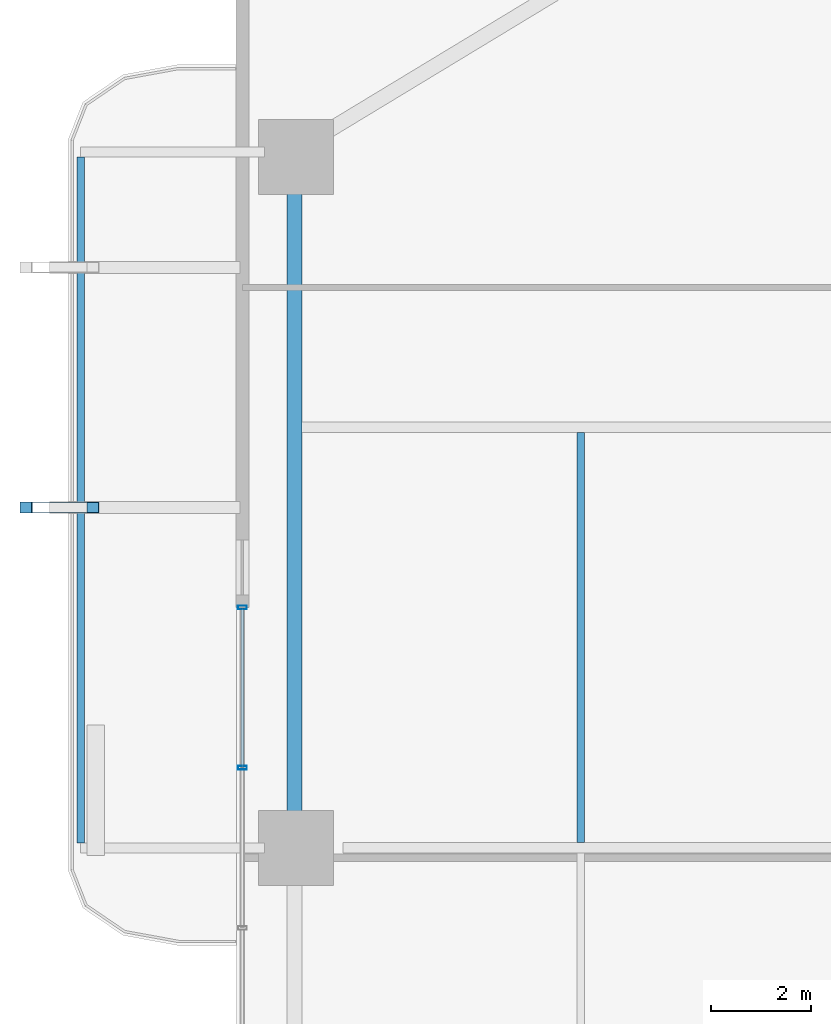
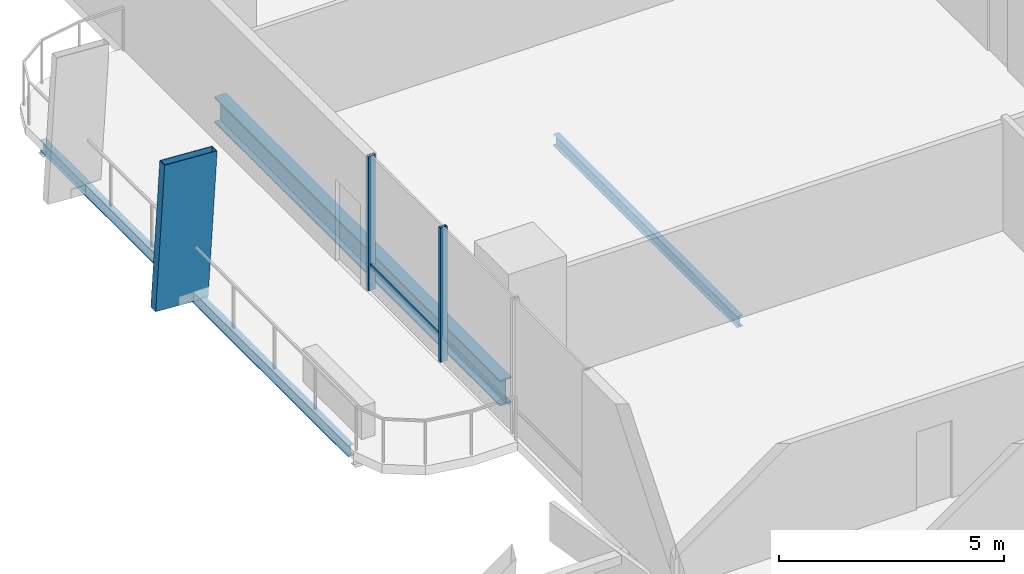
# One storey, part 13 of 30: 4 members, 3 beams, 1 element without a shape of its own.
"""IFC4 building model written with IfcOpenShell, lengths in metres."""

from ifc_helpers import new_model, si_unit, direction, frame, origin, origin_2d, place, context, subcontext, project, spatial, hollow_rectangle, i_section, extrude, material, layer, layer_set, material_profile, profile_set, type_object, element, aggregate, save


model = new_model("IFC4")

# Units and contexts
model_context = context("Model", 3, precision=1e-05, world=origin(), true_north=direction((0.0, 1.0)))
body_context = subcontext(model_context, "Body", "Model", "MODEL_VIEW")
ifc_project = project(units=[si_unit("LENGTHUNIT", "METRE"), si_unit("AREAUNIT", "SQUARE_METRE"), si_unit("VOLUMEUNIT", "CUBIC_METRE"), si_unit("PLANEANGLEUNIT", "RADIAN"), si_unit("MASSUNIT", "GRAM", prefix="KILO")], contexts=[model_context])

# Site, building, storey
site_placement = place(None, origin())
site = spatial("IfcSite", under=ifc_project, at=site_placement, CompositionType="ELEMENT")
building_placement = place(site_placement, origin())
building = spatial("IfcBuilding", under=site, at=building_placement, Name="Belovzor Exchange Tower", CompositionType="ELEMENT")
storey_placement = place(building_placement, frame((0.0, 0.0, 30.0)))
storey = spatial("IfcBuildingStorey", under=building, at=storey_placement, Name="L06", CompositionType="ELEMENT", Elevation=30.0)

# Member
ifc_material_1 = material(Name="Extruded Architectural Terracotta on Steel S355 Carrier", Category="masonry")
ifc_material_profile_1 = material_profile(ifc_material_1, hollow_rectangle(XDim=0.219970703125, YDim=1.35009765625, WallThickness=0.013916015625, at=origin_2d()))
ifc_profile_set_1 = profile_set([ifc_material_profile_1], Name="Extruded Architectural Terracotta on Steel S355 Carrier")
member_type_1 = type_object("IfcMemberType", Name="Base Arc Sweeping Terracotta Pylon Fin 1450", PredefinedType="USERDEFINED", material=ifc_profile_set_1)
member_1_placement = place(storey_placement, frame((-2.737060546875, 35.60009765625, -0.25), z_axis=(0.059678094331, 0.0, 0.998217674186), x_axis=(0.0, 1.0, 0.0)))
element("IfcMember", 1, at=member_1_placement, inside=storey, type_object=member_type_1, Name="FIN-TC145 Terracotta Facade Fin L06 W3", ObjectType="FIN", PredefinedType="USERDEFINED", context=body_context, shape_type="SweptSolid", body=[
    extrude(hollow_rectangle(XDim=0.219970703125, YDim=1.35009765625, WallThickness=0.013916015625, at=origin_2d()), origin(), (0.0, 0.0, 1.0), 3.906982421875),
])

# Beams
ifc_material_2 = material(Name="Steel S355", Category="steel")
ifc_material_profile_2 = material_profile(ifc_material_2, i_section(OverallWidth=0.14990234375, OverallDepth=0.300048828125, WebThickness=0.007080078125, FlangeThickness=0.0107421875, at=origin_2d()))
ifc_profile_set_2 = profile_set([ifc_material_profile_2], Name="Steel S355")
beam_type_1 = type_object("IfcBeamType", Name="Planted Balcony Fascia Edge Beam IPE 300", PredefinedType="BEAM", material=ifc_profile_set_2)
beam_1_placement = place(storey_placement, frame((-2.199951171875, 42.60009765625, -0.39990234375), z_axis=(0.0, -1.0, 0.0), x_axis=(1.0, 0.0, 0.0)))
element("IfcBeam", 2, at=beam_1_placement, inside=storey, type_object=beam_type_1, Name="BC-300 Planted Balcony Fascia Edge Beam IPE 300", PredefinedType="BEAM", context=body_context, shape_type="SweptSolid", body=[
    extrude(i_section(OverallWidth=0.14990234375, OverallDepth=0.300048828125, WebThickness=0.007080078125, FlangeThickness=0.0107421875, at=origin_2d()), origin(), (0.0, 0.0, 1.0), 13.7001953125),
])
ifc_material_3 = material(Name="Steel S355", Category="steel")
ifc_material_profile_3 = material_profile(ifc_material_3, i_section(OverallWidth=0.14990234375, OverallDepth=0.300048828125, WebThickness=0.007080078125, FlangeThickness=0.0107421875, at=origin_2d()))
ifc_profile_set_3 = profile_set([ifc_material_profile_3], Name="Steel S355")
beam_type_2 = type_object("IfcBeamType", Name="Secondary Trim Floor Joist IPE 300", PredefinedType="BEAM", material=ifc_profile_set_3)
beam_2_placement = place(storey_placement, frame((7.794921875, 28.905029296875, -0.39990234375), z_axis=(0.0, 1.0, 0.0), x_axis=(-1.0, 0.0, 0.0)))
element("IfcBeam", 3, at=beam_2_placement, inside=storey, type_object=beam_type_2, Name="FJ-300 Secondary Trim Floor Joist IPE 300", PredefinedType="BEAM", context=body_context, shape_type="SweptSolid", body=[
    extrude(i_section(OverallWidth=0.14990234375, OverallDepth=0.300048828125, WebThickness=0.007080078125, FlangeThickness=0.0107421875, at=origin_2d()), origin(), (0.0, 0.0, 1.0), 8.18994140625),
])

# Curtain wall, members
ifc_material_4 = material(Name="Anodised Aluminium Framing", Category="aluminium")
ifc_layer = layer(ifc_material_4, 0.179931640625)
ifc_layer_set = layer_set([ifc_layer], Name="Anodised Aluminium Framing")
curtain_wall_type = type_object("IfcCurtainWallType", Name="Recessed Loggia Low-Iron Triple-Glazed Curtain Wall", PredefinedType="NOTDEFINED", material=ifc_layer_set)
curtain_wall_placement = place(storey_placement, origin())
curtain_wall = element("IfcCurtainWall", 4, at=curtain_wall_placement, inside=storey, type_object=curtain_wall_type, Name="CW3 Recessed Loggia Low-Iron Triple-Glazed Curtain Wall L06", PredefinedType="NOTDEFINED")
ifc_material_5 = material(Name="Steel S355", Category="steel")
ifc_material_profile_4 = material_profile(ifc_material_5, hollow_rectangle(XDim=0.074951171875, YDim=0.179931640625, WallThickness=0.0048828125, at=origin_2d()))
ifc_profile_set_4 = profile_set([ifc_material_profile_4], Name="Steel S355")
member_type_2 = type_object("IfcMemberType", Name="Thermally Broken Curtain Wall Mullion 180x75", PredefinedType="MULLION", material=ifc_profile_set_4)
member_2_placement = place(storey_placement, frame((1.030029296875, 30.39990234375, 0.0), z_axis=(0.0, 0.0, 1.0), x_axis=(0.0, 1.0, 0.0)))
member_2 = element("IfcMember", 5, at=member_2_placement, type_object=member_type_2, Name="CW-M180 Curtain Wall Mullion 3", PredefinedType="MULLION", context=body_context, shape_type="SweptSolid", body=[
    extrude(hollow_rectangle(XDim=0.074951171875, YDim=0.179931640625, WallThickness=0.0048828125, at=origin_2d()), origin(), (0.0, 0.0, 1.0), 3.64990234375),
])
member_3_placement = place(storey_placement, frame((1.030029296875, 33.60009765625, 0.0), z_axis=(0.0, 0.0, 1.0), x_axis=(0.0, 1.0, 0.0)))
member_3 = element("IfcMember", 6, at=member_3_placement, type_object=member_type_2, Name="CW-M180 Curtain Wall Mullion 4", PredefinedType="MULLION", context=body_context, shape_type="SweptSolid", body=[
    extrude(hollow_rectangle(XDim=0.074951171875, YDim=0.179931640625, WallThickness=0.0048828125, at=origin_2d()), origin(), (0.0, 0.0, 1.0), 3.64990234375),
])
ifc_material_6 = material(Name="Steel S355", Category="steel")
ifc_material_profile_5 = material_profile(ifc_material_6, hollow_rectangle(XDim=0.06005859375, YDim=0.14990234375, WallThickness=0.00390625, at=origin_2d()))
ifc_profile_set_5 = profile_set([ifc_material_profile_5], Name="Steel S355")
member_type_3 = type_object("IfcMemberType", Name="Thermally Broken Curtain Wall Transom 150x60", PredefinedType="USERDEFINED", material=ifc_profile_set_5)
member_4_placement = place(storey_placement, frame((1.030029296875, 30.407958984375, 0.64990234375), z_axis=(0.0, 1.0, 0.0), x_axis=(-1.0, 0.0, 0.0)))
member_4 = element("IfcMember", 7, at=member_4_placement, type_object=member_type_3, Name="CW-T150 Curtain Wall Transom 3", ObjectType="TRANSOM", PredefinedType="USERDEFINED", context=body_context, shape_type="SweptSolid", body=[
    extrude(hollow_rectangle(XDim=0.06005859375, YDim=0.14990234375, WallThickness=0.00390625, at=origin_2d()), origin(), (0.0, 0.0, 1.0), 3.18408203125),
])
aggregate(curtain_wall, [member_2, member_3, member_4])

# Beam
ifc_material_7 = material(Name="Steel S355", Category="steel")
ifc_material_profile_6 = material_profile(ifc_material_7, i_section(OverallWidth=0.300048828125, OverallDepth=0.699951171875, WebThickness=0.01708984375, FlangeThickness=0.031982421875, at=origin_2d()))
ifc_profile_set_6 = profile_set([ifc_material_profile_6], Name="Steel S355")
beam_type_3 = type_object("IfcBeamType", Name="Zone 1 Primary Perimeter Girder HEB 700", PredefinedType="BEAM", material=ifc_profile_set_6)
beam_3_placement = place(storey_placement, frame((2.070068359375, 42.114990234375, -0.60009765625), z_axis=(0.0, -1.0, 0.0), x_axis=(1.0, 0.0, 0.0)))
element("IfcBeam", 8, at=beam_3_placement, inside=storey, type_object=beam_type_3, Name="FG-Z1 Zone 1 Primary Perimeter Girder HEB 700", PredefinedType="BEAM", context=body_context, shape_type="SweptSolid", body=[
    extrude(i_section(OverallWidth=0.300048828125, OverallDepth=0.699951171875, WebThickness=0.01708984375, FlangeThickness=0.031982421875, at=origin_2d()), origin(), (0.0, 0.0, 1.0), 12.7099609375),
])

save(model, "model.ifc")
